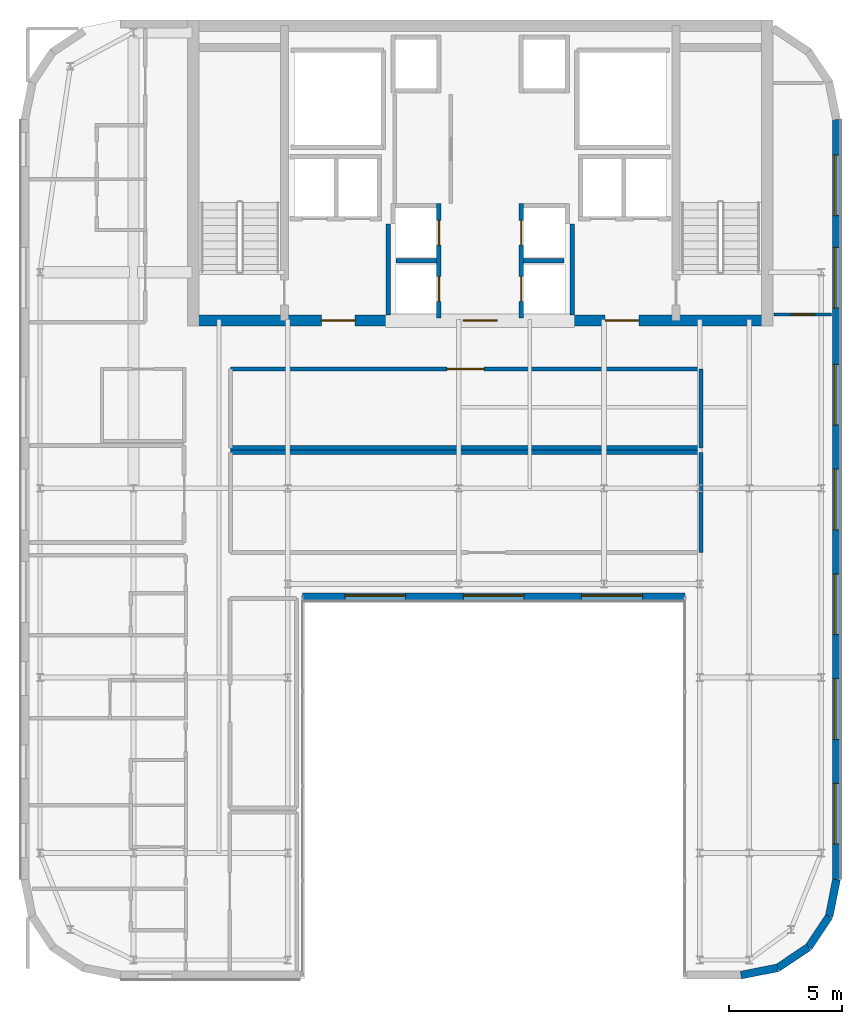
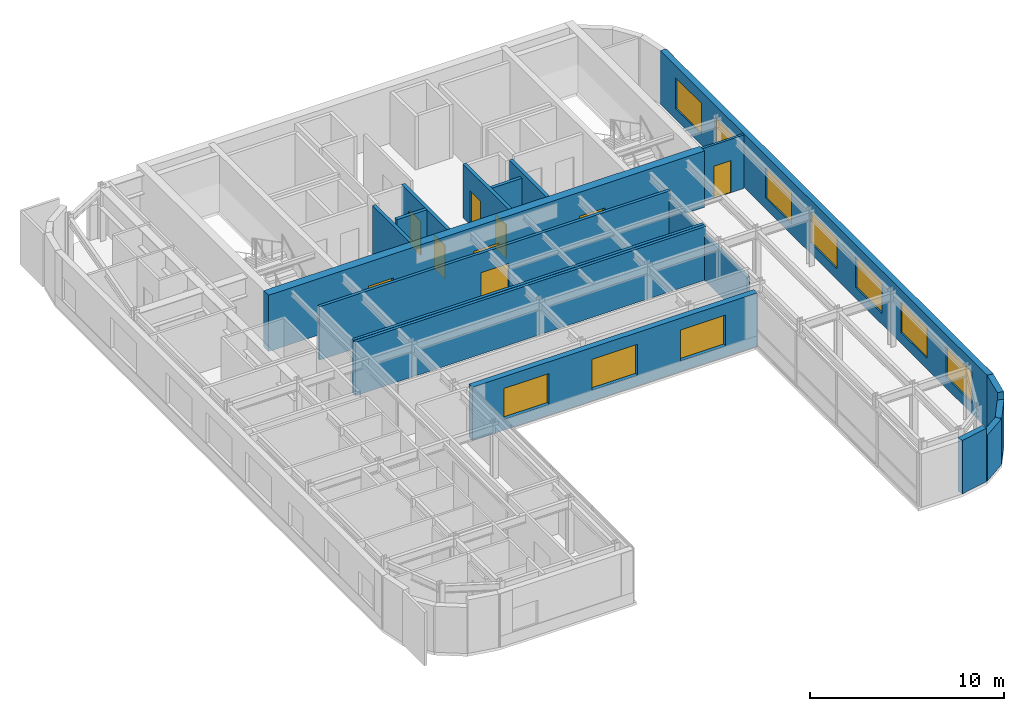
# One storey, part 15 of 21: 19 walls, 10 windows, 9 doors, 19 openings.
"""IFC4 building model written with IfcOpenShell, lengths in metres."""

from ifc_helpers import new_model, si_unit, direction, frame, frame_2d, origin, place, context, subcontext, project, spatial, rectangle, extrude, source, transform, mapped, material, layer, layer_set, type_object, type_shapes, element, fill, save


model = new_model("IFC4")

# Units and contexts
model_context = context("Model", 3, precision=1e-05, world=origin(), true_north=direction((0.0, 1.0)))
body_context = subcontext(model_context, "Body", "Model", "MODEL_VIEW")
ifc_project = project(units=[si_unit("LENGTHUNIT", "METRE"), si_unit("AREAUNIT", "SQUARE_METRE"), si_unit("VOLUMEUNIT", "CUBIC_METRE"), si_unit("PLANEANGLEUNIT", "RADIAN"), si_unit("MASSUNIT", "GRAM", prefix="KILO")], contexts=[model_context])

# Site, building, storey
site_placement = place(None, origin())
site = spatial("IfcSite", under=ifc_project, at=site_placement, CompositionType="ELEMENT")
building_placement = place(site_placement, origin())
building = spatial("IfcBuilding", under=site, at=building_placement, Name="Tolvann Quenvar Hotel", CompositionType="ELEMENT")
storey_placement = place(building_placement, frame((0.0, 0.0, 262.949951171875)))
storey = spatial("IfcBuildingStorey", under=building, at=storey_placement, Name="L70", CompositionType="ELEMENT", Elevation=262.949951171875)

# Wall, openings, doors
ifc_material_1 = material(Name="Concrete N50 (50 MPa)", Category="concrete")
ifc_layer_1 = layer(ifc_material_1, 0.5)
ifc_layer_set_1 = layer_set([ifc_layer_1], Name="Concrete N50 (50 MPa)")
wall_type_1 = type_object("IfcWallType", Name="WALL_CORE_500", PredefinedType="SHEAR", material=ifc_layer_set_1)
wall_1_placement = place(storey_placement, frame((10.0, 31.85009765625, 0.0), z_axis=(0.0, 0.0, 1.0), x_axis=(1.0, 0.0, 0.0)))
wall_1 = element("IfcWall", 1, at=wall_1_placement, inside=storey, type_object=wall_type_1, Name="Rear Core S Shear Wall (L70)", PredefinedType="SHEAR", context=body_context, shape_type="SweptSolid", body=[
    extrude(rectangle(XDim=26.0, YDim=0.5, at=frame_2d((13.0, 0.0))), origin(), (0.0, 0.0, 1.0), 3.550048828125),
])
opening_1_placement = place(wall_1_placement, frame((7.449951171875, 0.0, 0.0), z_axis=(0.0, 0.0, 1.0), x_axis=(-1.0, 0.0, 0.0)))
opening_1 = element("IfcOpeningElement", 2, at=opening_1_placement, cuts=wall_1, Name="Opening FD-60D", PredefinedType="OPENING", context=body_context, shape_type="SweptSolid", body=[
    extrude(rectangle(XDim=1.5, YDim=2.0400390625, at=frame_2d((0.75, 1.02001953125))), frame((0.0, 0.260009765625, 0.0), z_axis=(0.0, -1.0, 0.0), x_axis=(1.0, 0.0, 0.0)), (0.0, 0.0, 1.0), 0.52001953125),
])
opening_2_placement = place(wall_1_placement, frame((13.75, 0.0, 0.0), z_axis=(0.0, 0.0, 1.0), x_axis=(-1.0, 0.0, 0.0)))
opening_2 = element("IfcOpeningElement", 3, at=opening_2_placement, cuts=wall_1, Name="Opening FD-60D", PredefinedType="OPENING", context=body_context, shape_type="SweptSolid", body=[
    extrude(rectangle(XDim=1.5, YDim=2.0400390625, at=frame_2d((0.75, 1.02001953125))), frame((0.0, 0.260009765625, 0.0), z_axis=(0.0, -1.0, 0.0), x_axis=(1.0, 0.0, 0.0)), (0.0, 0.0, 1.0), 0.52001953125),
])
opening_3_placement = place(wall_1_placement, frame((20.050048828125, 0.0, 0.0), z_axis=(0.0, 0.0, 1.0), x_axis=(-1.0, 0.0, 0.0)))
opening_3 = element("IfcOpeningElement", 4, at=opening_3_placement, cuts=wall_1, Name="Opening FD-60D", PredefinedType="OPENING", context=body_context, shape_type="SweptSolid", body=[
    extrude(rectangle(XDim=1.5, YDim=2.0400390625, at=frame_2d((0.75, 1.02001953125))), frame((0.0, 0.260009765625, 0.0), z_axis=(0.0, -1.0, 0.0), x_axis=(1.0, 0.0, 0.0)), (0.0, 0.0, 1.0), 0.52001953125),
])
ifc_material_2 = material(Name="Solid-core American oak acoustic fire door leaf in steel frame", Category="steel")
door_type_1 = type_object("IfcDoorType", Name="DOOR_FIRE_LOBBY_1500", OperationType="NOTDEFINED", PredefinedType="DOOR", material=ifc_material_2)
shared_shape_1 = source(origin(), body_context, "Body", "SweptSolid", [
    extrude(rectangle(XDim=1.5, YDim=2.0400390625, at=frame_2d((0.75, 1.02001953125))), frame((0.0, 0.02490234375, 0.0), z_axis=(0.0, -1.0, 0.0), x_axis=(1.0, 0.0, 0.0)), (0.0, 0.0, 1.0), 0.050048828125),
])
type_shapes(door_type_1, [shared_shape_1])
door_1_placement = place(opening_1_placement, origin())
door_1 = element("IfcDoor", 5, at=door_1_placement, inside=storey, type_object=door_type_1, Name="Core Lobby Fire Door FFW (L70)", OperationType="DOUBLE_DOOR_SINGLE_SWING", OverallHeight=2.0400390625, OverallWidth=1.5, PredefinedType="DOOR", context=body_context, shape_type="MappedRepresentation", body=[
    mapped(shared_shape_1, transform((0.0, 0.0, 0.0), x_axis=(1.0, 0.0, 0.0), y_axis=(0.0, 1.0, 0.0), z_axis=(0.0, 0.0, 1.0), scale=1.0)),
])
fill(opening_1, door_1)
door_2_placement = place(opening_2_placement, origin())
door_2 = element("IfcDoor", 6, at=door_2_placement, inside=storey, type_object=door_type_1, Name="Core Lobby Fire Door CLOB (L70)", OperationType="DOUBLE_DOOR_SINGLE_SWING", OverallHeight=2.0400390625, OverallWidth=1.5, PredefinedType="DOOR", context=body_context, shape_type="MappedRepresentation", body=[
    mapped(shared_shape_1, transform((0.0, 0.0, 0.0), x_axis=(1.0, 0.0, 0.0), y_axis=(0.0, 1.0, 0.0), z_axis=(0.0, 0.0, 1.0), scale=1.0)),
])
fill(opening_2, door_2)
door_3_placement = place(opening_3_placement, origin())
door_3 = element("IfcDoor", 7, at=door_3_placement, inside=storey, type_object=door_type_1, Name="Core Lobby Fire Door FFE (L70)", OperationType="DOUBLE_DOOR_SINGLE_SWING", OverallHeight=2.0400390625, OverallWidth=1.5, PredefinedType="DOOR", context=body_context, shape_type="MappedRepresentation", body=[
    mapped(shared_shape_1, transform((0.0, 0.0, 0.0), x_axis=(1.0, 0.0, 0.0), y_axis=(0.0, 1.0, 0.0), z_axis=(0.0, 0.0, 1.0), scale=1.0)),
])
fill(opening_3, door_3)

# Wall, openings, windows
ifc_material_3 = material(Name="Kiln-fired red and buff architectural clay brickwork and terracotta masonry", Category="masonry")
ifc_layer_2 = layer(ifc_material_3, 0.35009765625)
ifc_layer_set_2 = layer_set([ifc_layer_2], Name="Kiln-fired red and buff architectural clay brickwork and terracotta masonry")
wall_type_2 = type_object("IfcWallType", Name="WALL_EXT_BRICK_350", PredefinedType="SOLIDWALL", material=ifc_layer_set_2)
wall_2_placement = place(storey_placement, frame((15.110107421875, 19.574951171875, 0.0), z_axis=(0.0, 0.0, 1.0), x_axis=(1.0, 0.0, 0.0)))
wall_2 = element("IfcWall", 8, at=wall_2_placement, inside=storey, type_object=wall_type_2, Name="Exterior Chicago Brick Wall L70-E06", PredefinedType="SOLIDWALL", context=body_context, shape_type="SweptSolid", body=[
    extrude(rectangle(XDim=16.97998046875, YDim=0.35009765625, at=frame_2d((8.489990234375, 0.0))), origin(), (0.0, 0.0, 1.0), 3.3701171875),
])
opening_4_placement = place(wall_2_placement, frame((1.8798828125, 0.0, 0.679931640625)))
opening_4 = element("IfcOpeningElement", 9, at=opening_4_placement, cuts=wall_2, Name="Opening W-04", PredefinedType="OPENING", context=body_context, shape_type="SweptSolid", body=[
    extrude(rectangle(XDim=2.699951171875, YDim=1.949951171875, at=frame_2d((1.35009765625, 0.97509765625))), frame((0.0, 0.18505859375, 0.0), z_axis=(0.0, -1.0, 0.0), x_axis=(1.0, 0.0, 0.0)), (0.0, 0.0, 1.0), 0.3701171875),
])
opening_5_placement = place(wall_2_placement, frame((7.139892578125, 0.0, 0.679931640625)))
opening_5 = element("IfcOpeningElement", 10, at=opening_5_placement, cuts=wall_2, Name="Opening W-04", PredefinedType="OPENING", context=body_context, shape_type="SweptSolid", body=[
    extrude(rectangle(XDim=2.699951171875, YDim=1.949951171875, at=frame_2d((1.35009765625, 0.97509765625))), frame((0.0, 0.18505859375, 0.0), z_axis=(0.0, -1.0, 0.0), x_axis=(1.0, 0.0, 0.0)), (0.0, 0.0, 1.0), 0.3701171875),
])
opening_6_placement = place(wall_2_placement, frame((12.39990234375, 0.0, 0.679931640625)))
opening_6 = element("IfcOpeningElement", 11, at=opening_6_placement, cuts=wall_2, Name="Opening W-04", PredefinedType="OPENING", context=body_context, shape_type="SweptSolid", body=[
    extrude(rectangle(XDim=2.699951171875, YDim=1.949951171875, at=frame_2d((1.35009765625, 0.97509765625))), frame((0.0, 0.18505859375, 0.0), z_axis=(0.0, -1.0, 0.0), x_axis=(1.0, 0.0, 0.0)), (0.0, 0.0, 1.0), 0.3701171875),
])
ifc_material_4 = material(Name="Thermally broken bronze-anodised aluminium frame with double low-E glazing", Category="aluminium")
window_type = type_object("IfcWindowType", Name="WIN_STE_2700x2150", PartitioningType="TRIPLE_PANEL_HORIZONTAL", PredefinedType="WINDOW", material=ifc_material_4)
shared_shape_2 = source(origin(), body_context, "Body", "SweptSolid", [
    extrude(rectangle(XDim=2.699951171875, YDim=1.949951171875, at=frame_2d((1.35009765625, 0.97509765625))), frame((0.0, 0.090087890625, 0.0), z_axis=(0.0, -1.0, 0.0), x_axis=(1.0, 0.0, 0.0)), (0.0, 0.0, 1.0), 0.06005859375),
])
type_shapes(window_type, [shared_shape_2])
window_1_placement = place(opening_4_placement, origin())
window_1 = element("IfcWindow", 12, at=window_1_placement, inside=storey, type_object=window_type, Name="Chicago Window W-04 (EW-L70-E06-W01)", OverallHeight=1.949951171875, OverallWidth=2.699951171875, PartitioningType="TRIPLE_PANEL_HORIZONTAL", PredefinedType="WINDOW", context=body_context, shape_type="MappedRepresentation", body=[
    mapped(shared_shape_2, transform((0.0, 0.0, 0.0), x_axis=(1.0, 0.0, 0.0), y_axis=(0.0, 1.0, 0.0), z_axis=(0.0, 0.0, 1.0), scale=1.0)),
])
fill(opening_4, window_1)
window_2_placement = place(opening_5_placement, origin())
window_2 = element("IfcWindow", 13, at=window_2_placement, inside=storey, type_object=window_type, Name="Chicago Window W-04 (EW-L70-E06-W02)", OverallHeight=1.949951171875, OverallWidth=2.699951171875, PartitioningType="TRIPLE_PANEL_HORIZONTAL", PredefinedType="WINDOW", context=body_context, shape_type="MappedRepresentation", body=[
    mapped(shared_shape_2, transform((0.0, 0.0, 0.0), x_axis=(1.0, 0.0, 0.0), y_axis=(0.0, 1.0, 0.0), z_axis=(0.0, 0.0, 1.0), scale=1.0)),
])
fill(opening_5, window_2)
window_3_placement = place(opening_6_placement, origin())
window_3 = element("IfcWindow", 14, at=window_3_placement, inside=storey, type_object=window_type, Name="Chicago Window W-04 (EW-L70-E06-W03)", OverallHeight=1.949951171875, OverallWidth=2.699951171875, PartitioningType="TRIPLE_PANEL_HORIZONTAL", PredefinedType="WINDOW", context=body_context, shape_type="MappedRepresentation", body=[
    mapped(shared_shape_2, transform((0.0, 0.0, 0.0), x_axis=(1.0, 0.0, 0.0), y_axis=(0.0, 1.0, 0.0), z_axis=(0.0, 0.0, 1.0), scale=1.0)),
])
fill(opening_6, window_3)

# Walls
wall_3_placement = place(storey_placement, frame((34.582763671875, 2.77490234375, 0.0), z_axis=(0.0, 0.0, 1.0), x_axis=(0.980794424524, 0.195044345786, 0.0)))
element("IfcWall", 15, at=wall_3_placement, inside=storey, type_object=wall_type_2, Name="Exterior Chicago Brick Wall L70-E09", PredefinedType="SOLIDWALL", context=body_context, shape_type="SweptSolid", body=[
    extrude(rectangle(XDim=1.664794921875, YDim=0.35009765625, at=frame_2d((0.83251953125, 0.0))), origin(), (0.0, 0.0, 1.0), 3.3701171875),
])
for number, where, z_axis, x_axis, name in (
    (16, (36.215576171875, 3.099609375, 0.0), (0.0, 0.0, 1.0), (0.831434158098, 0.555623290322, 0.0), "Exterior Chicago Brick Wall L70-E10"),
    (17, (37.585205078125, 4.014892578125, 0.0), (0.0, 0.0, 1.0), (0.555520825599, 0.831502623162, 0.0), "Exterior Chicago Brick Wall L70-E11"),
):
    element("IfcWall", number, at=place(storey_placement, frame(where, z_axis=z_axis, x_axis=x_axis)), inside=storey, type_object=wall_type_2, Name=name, PredefinedType="SOLIDWALL", context=body_context, shape_type="SweptSolid", body=[
        extrude(rectangle(XDim=1.647216796875, YDim=0.35009765625, at=frame_2d((0.82373046875, 0.0))), origin(), (0.0, 0.0, 1.0), 2.900146484375),
    ])
wall_4_placement = place(storey_placement, frame((38.500244140625, 5.384521484375, 0.0), z_axis=(0.0, 0.0, 1.0), x_axis=(0.195072403631, 0.980788844421, 0.0)))
element("IfcWall", 18, at=wall_4_placement, inside=storey, type_object=wall_type_2, Name="Exterior Chicago Brick Wall L70-E12", PredefinedType="SOLIDWALL", context=body_context, shape_type="SweptSolid", body=[
    extrude(rectangle(XDim=1.66455078125, YDim=0.35009765625, at=frame_2d((0.832275390625, 0.0))), origin(), (0.0, 0.0, 1.0), 3.3701171875),
])

# Wall, openings, windows
wall_5_placement = place(storey_placement, frame((38.824951171875, 7.01708984375, 0.0), z_axis=(0.0, 0.0, 1.0), x_axis=(0.0, 1.0, 0.0)))
wall_5 = element("IfcWall", 19, at=wall_5_placement, inside=storey, type_object=wall_type_2, Name="Exterior Chicago Brick Wall L70-E13", PredefinedType="SOLIDWALL", context=body_context, shape_type="SweptSolid", body=[
    extrude(rectangle(XDim=33.765625, YDim=0.35009765625, at=frame_2d((16.8828125, 0.0))), origin(), (0.0, 0.0, 1.0), 3.3701171875),
])
opening_7_placement = place(wall_5_placement, frame((1.575927734375, 0.0, 0.679931640625)))
opening_7 = element("IfcOpeningElement", 20, at=opening_7_placement, cuts=wall_5, Name="Opening W-04", PredefinedType="OPENING", context=body_context, shape_type="SweptSolid", body=[
    extrude(rectangle(XDim=2.699951171875, YDim=1.949951171875, at=frame_2d((1.35009765625, 0.97509765625))), frame((0.0, 0.18505859375, 0.0), z_axis=(0.0, -1.0, 0.0), x_axis=(1.0, 0.0, 0.0)), (0.0, 0.0, 1.0), 0.3701171875),
])
opening_8_placement = place(wall_5_placement, frame((6.22802734375, 0.0, 0.679931640625)))
opening_8 = element("IfcOpeningElement", 21, at=opening_8_placement, cuts=wall_5, Name="Opening W-04", PredefinedType="OPENING", context=body_context, shape_type="SweptSolid", body=[
    extrude(rectangle(XDim=2.699951171875, YDim=1.949951171875, at=frame_2d((1.35009765625, 0.97509765625))), frame((0.0, 0.18505859375, 0.0), z_axis=(0.0, -1.0, 0.0), x_axis=(1.0, 0.0, 0.0)), (0.0, 0.0, 1.0), 0.3701171875),
])
opening_9_placement = place(wall_5_placement, frame((10.881103515625, 0.0, 0.679931640625)))
opening_9 = element("IfcOpeningElement", 22, at=opening_9_placement, cuts=wall_5, Name="Opening W-04", PredefinedType="OPENING", context=body_context, shape_type="SweptSolid", body=[
    extrude(rectangle(XDim=2.699951171875, YDim=1.949951171875, at=frame_2d((1.35009765625, 0.97509765625))), frame((0.0, 0.18505859375, 0.0), z_axis=(0.0, -1.0, 0.0), x_axis=(1.0, 0.0, 0.0)), (0.0, 0.0, 1.0), 0.3701171875),
])
opening_10_placement = place(wall_5_placement, frame((15.532958984375, 0.0, 0.679931640625)))
opening_10 = element("IfcOpeningElement", 23, at=opening_10_placement, cuts=wall_5, Name="Opening W-04", PredefinedType="OPENING", context=body_context, shape_type="SweptSolid", body=[
    extrude(rectangle(XDim=2.699951171875, YDim=1.949951171875, at=frame_2d((1.35009765625, 0.97509765625))), frame((0.0, 0.18505859375, 0.0), z_axis=(0.0, -1.0, 0.0), x_axis=(1.0, 0.0, 0.0)), (0.0, 0.0, 1.0), 0.3701171875),
])
opening_11_placement = place(wall_5_placement, frame((20.18505859375, 0.0, 0.679931640625)))
opening_11 = element("IfcOpeningElement", 24, at=opening_11_placement, cuts=wall_5, Name="Opening W-04", PredefinedType="OPENING", context=body_context, shape_type="SweptSolid", body=[
    extrude(rectangle(XDim=2.699951171875, YDim=1.949951171875, at=frame_2d((1.35009765625, 0.97509765625))), frame((0.0, 0.18505859375, 0.0), z_axis=(0.0, -1.0, 0.0), x_axis=(1.0, 0.0, 0.0)), (0.0, 0.0, 1.0), 0.3701171875),
])
opening_12_placement = place(wall_5_placement, frame((25.386962890625, 0.0, 0.679931640625)))
opening_12 = element("IfcOpeningElement", 25, at=opening_12_placement, cuts=wall_5, Name="Opening W-04", PredefinedType="OPENING", context=body_context, shape_type="SweptSolid", body=[
    extrude(rectangle(XDim=2.699951171875, YDim=1.949951171875, at=frame_2d((1.35009765625, 0.97509765625))), frame((0.0, 0.18505859375, 0.0), z_axis=(0.0, -1.0, 0.0), x_axis=(1.0, 0.0, 0.0)), (0.0, 0.0, 1.0), 0.3701171875),
])
opening_13_placement = place(wall_5_placement, frame((29.489013671875, 0.0, 0.679931640625)))
opening_13 = element("IfcOpeningElement", 26, at=opening_13_placement, cuts=wall_5, Name="Opening W-04", PredefinedType="OPENING", context=body_context, shape_type="SweptSolid", body=[
    extrude(rectangle(XDim=2.699951171875, YDim=1.949951171875, at=frame_2d((1.35009765625, 0.97509765625))), frame((0.0, 0.18505859375, 0.0), z_axis=(0.0, -1.0, 0.0), x_axis=(1.0, 0.0, 0.0)), (0.0, 0.0, 1.0), 0.3701171875),
])
window_4_placement = place(opening_7_placement, origin())
window_4 = element("IfcWindow", 27, at=window_4_placement, inside=storey, type_object=window_type, Name="Chicago Window W-04 (EW-L70-E13-W01)", OverallHeight=1.949951171875, OverallWidth=2.699951171875, PartitioningType="TRIPLE_PANEL_HORIZONTAL", PredefinedType="WINDOW", context=body_context, shape_type="MappedRepresentation", body=[
    mapped(shared_shape_2, transform((0.0, 0.0, 0.0), x_axis=(1.0, 0.0, 0.0), y_axis=(0.0, 1.0, 0.0), z_axis=(0.0, 0.0, 1.0), scale=1.0)),
])
fill(opening_7, window_4)
window_5_placement = place(opening_8_placement, origin())
window_5 = element("IfcWindow", 28, at=window_5_placement, inside=storey, type_object=window_type, Name="Chicago Window W-04 (EW-L70-E13-W02)", OverallHeight=1.949951171875, OverallWidth=2.699951171875, PartitioningType="TRIPLE_PANEL_HORIZONTAL", PredefinedType="WINDOW", context=body_context, shape_type="MappedRepresentation", body=[
    mapped(shared_shape_2, transform((0.0, 0.0, 0.0), x_axis=(1.0, 0.0, 0.0), y_axis=(0.0, 1.0, 0.0), z_axis=(0.0, 0.0, 1.0), scale=1.0)),
])
fill(opening_8, window_5)
window_6_placement = place(opening_9_placement, origin())
window_6 = element("IfcWindow", 29, at=window_6_placement, inside=storey, type_object=window_type, Name="Chicago Window W-04 (EW-L70-E13-W03)", OverallHeight=1.949951171875, OverallWidth=2.699951171875, PartitioningType="TRIPLE_PANEL_HORIZONTAL", PredefinedType="WINDOW", context=body_context, shape_type="MappedRepresentation", body=[
    mapped(shared_shape_2, transform((0.0, 0.0, 0.0), x_axis=(1.0, 0.0, 0.0), y_axis=(0.0, 1.0, 0.0), z_axis=(0.0, 0.0, 1.0), scale=1.0)),
])
fill(opening_9, window_6)
window_7_placement = place(opening_10_placement, origin())
window_7 = element("IfcWindow", 30, at=window_7_placement, inside=storey, type_object=window_type, Name="Chicago Window W-04 (EW-L70-E13-W04)", OverallHeight=1.949951171875, OverallWidth=2.699951171875, PartitioningType="TRIPLE_PANEL_HORIZONTAL", PredefinedType="WINDOW", context=body_context, shape_type="MappedRepresentation", body=[
    mapped(shared_shape_2, transform((0.0, 0.0, 0.0), x_axis=(1.0, 0.0, 0.0), y_axis=(0.0, 1.0, 0.0), z_axis=(0.0, 0.0, 1.0), scale=1.0)),
])
fill(opening_10, window_7)
window_8_placement = place(opening_11_placement, origin())
window_8 = element("IfcWindow", 31, at=window_8_placement, inside=storey, type_object=window_type, Name="Chicago Window W-04 (EW-L70-E13-W05)", OverallHeight=1.949951171875, OverallWidth=2.699951171875, PartitioningType="TRIPLE_PANEL_HORIZONTAL", PredefinedType="WINDOW", context=body_context, shape_type="MappedRepresentation", body=[
    mapped(shared_shape_2, transform((0.0, 0.0, 0.0), x_axis=(1.0, 0.0, 0.0), y_axis=(0.0, 1.0, 0.0), z_axis=(0.0, 0.0, 1.0), scale=1.0)),
])
fill(opening_11, window_8)
window_9_placement = place(opening_12_placement, origin())
window_9 = element("IfcWindow", 32, at=window_9_placement, inside=storey, type_object=window_type, Name="Chicago Window W-04 (EW-L70-E13-W06)", OverallHeight=1.949951171875, OverallWidth=2.699951171875, PartitioningType="TRIPLE_PANEL_HORIZONTAL", PredefinedType="WINDOW", context=body_context, shape_type="MappedRepresentation", body=[
    mapped(shared_shape_2, transform((0.0, 0.0, 0.0), x_axis=(1.0, 0.0, 0.0), y_axis=(0.0, 1.0, 0.0), z_axis=(0.0, 0.0, 1.0), scale=1.0)),
])
fill(opening_12, window_9)
window_10_placement = place(opening_13_placement, origin())
window_10 = element("IfcWindow", 33, at=window_10_placement, inside=storey, type_object=window_type, Name="Chicago Window W-04 (EW-L70-E13-W07)", OverallHeight=1.949951171875, OverallWidth=2.699951171875, PartitioningType="TRIPLE_PANEL_HORIZONTAL", PredefinedType="WINDOW", context=body_context, shape_type="MappedRepresentation", body=[
    mapped(shared_shape_2, transform((0.0, 0.0, 0.0), x_axis=(1.0, 0.0, 0.0), y_axis=(0.0, 1.0, 0.0), z_axis=(0.0, 0.0, 1.0), scale=1.0)),
])
fill(opening_13, window_10)

# Walls
ifc_material_5 = material(Name="Acoustic twin-stud fire-rated gypsum plasterboard partition")
ifc_layer_3 = layer(ifc_material_5, 0.179931640625)
ifc_layer_set_3 = layer_set([ifc_layer_3], Name="Acoustic twin-stud fire-rated gypsum plasterboard partition")
wall_type_3 = type_object("IfcWallType", Name="WALL_PART_ACOUSTIC_180", PredefinedType="PARTITIONING", material=ifc_layer_set_3)
wall_6_placement = place(storey_placement, frame((11.89990234375, 26.0, 0.0), z_axis=(0.0, 0.0, 1.0), x_axis=(1.0, 0.0, 0.0)))
element("IfcWall", 34, at=wall_6_placement, inside=storey, type_object=wall_type_3, Name="Interior Partition PT-SPC-L70-PCNTR1-N", PredefinedType="PARTITIONING", context=body_context, shape_type="SweptSolid", body=[
    extrude(rectangle(XDim=20.900146484375, YDim=0.179931640625, at=frame_2d((10.4501953125, 0.0))), origin(), (0.0, 0.0, 1.0), 3.3701171875),
])
wall_7_placement = place(storey_placement, frame((32.800048828125, 21.550048828125, 0.0), z_axis=(0.0, 0.0, 1.0), x_axis=(0.0, 1.0, 0.0)))
element("IfcWall", 35, at=wall_7_placement, inside=storey, type_object=wall_type_3, Name="Interior Partition PT-SPC-L70-PCNTR1-E", PredefinedType="PARTITIONING", context=body_context, shape_type="SweptSolid", body=[
    extrude(rectangle(XDim=4.449951171875, YDim=0.179931640625, at=frame_2d((2.22509765625, 0.0))), origin(), (0.0, 0.0, 1.0), 2.8271484375),
])
wall_8_placement = place(storey_placement, frame((11.89990234375, 26.199951171875, 0.0), z_axis=(0.0, 0.0, 1.0), x_axis=(1.0, 0.0, 0.0)))
element("IfcWall", 36, at=wall_8_placement, inside=storey, type_object=wall_type_3, Name="Interior Partition PT-SPC-L70-PCNTR2-S", PredefinedType="PARTITIONING", context=body_context, shape_type="SweptSolid", body=[
    extrude(rectangle(XDim=20.900146484375, YDim=0.179931640625, at=frame_2d((10.4501953125, 0.0))), origin(), (0.0, 0.0, 1.0), 3.3701171875),
])

# Wall, opening, door
wall_9_placement = place(storey_placement, frame((11.89990234375, 29.699951171875, 0.0), z_axis=(0.0, 0.0, 1.0), x_axis=(1.0, 0.0, 0.0)))
wall_9 = element("IfcWall", 37, at=wall_9_placement, inside=storey, type_object=wall_type_3, Name="Interior Partition PT-SPC-L70-PCNTR2-N", PredefinedType="PARTITIONING", context=body_context, shape_type="SweptSolid", body=[
    extrude(rectangle(XDim=20.900146484375, YDim=0.179931640625, at=frame_2d((10.4501953125, 0.0))), origin(), (0.0, 0.0, 1.0), 3.3701171875),
])
opening_14_placement = place(wall_9_placement, frame((9.625, 0.0, 0.0)))
opening_14 = element("IfcOpeningElement", 38, at=opening_14_placement, cuts=wall_9, Name="Opening AD-01", PredefinedType="OPENING", context=body_context, shape_type="SweptSolid", body=[
    extrude(rectangle(XDim=1.64990234375, YDim=2.14990234375, at=frame_2d((0.824951171875, 1.074951171875))), frame((0.0, 0.10009765625, 0.0), z_axis=(0.0, -1.0, 0.0), x_axis=(1.0, 0.0, 0.0)), (0.0, 0.0, 1.0), 0.199951171875),
])
door_type_2 = type_object("IfcDoorType", Name="DOOR_SALON_1650", OperationType="NOTDEFINED", PredefinedType="DOOR", material=ifc_material_2)
shared_shape_3 = source(origin(), body_context, "Body", "SweptSolid", [
    extrude(rectangle(XDim=1.64990234375, YDim=2.14990234375, at=frame_2d((0.824951171875, 1.074951171875))), frame((0.0, 0.02490234375, 0.0), z_axis=(0.0, -1.0, 0.0), x_axis=(1.0, 0.0, 0.0)), (0.0, 0.0, 1.0), 0.050048828125),
])
type_shapes(door_type_2, [shared_shape_3])
door_4_placement = place(opening_14_placement, origin())
door_4 = element("IfcDoor", 39, at=door_4_placement, inside=storey, type_object=door_type_2, Name="Interior Door DOOR-SPC-L70-PCNTR2", OperationType="DOUBLE_DOOR_SINGLE_SWING", OverallHeight=2.14990234375, OverallWidth=1.64990234375, PredefinedType="DOOR", context=body_context, shape_type="MappedRepresentation", body=[
    mapped(shared_shape_3, transform((0.0, 0.0, 0.0), x_axis=(1.0, 0.0, 0.0), y_axis=(0.0, 1.0, 0.0), z_axis=(0.0, 0.0, 1.0), scale=1.0)),
])
fill(opening_14, door_4)

# Wall
wall_10_placement = place(storey_placement, frame((32.800048828125, 26.199951171875, 0.0), z_axis=(0.0, 0.0, 1.0), x_axis=(0.0, 1.0, 0.0)))
element("IfcWall", 40, at=wall_10_placement, inside=storey, type_object=wall_type_3, Name="Interior Partition PT-SPC-L70-PCNTR2-E", PredefinedType="PARTITIONING", context=body_context, shape_type="SweptSolid", body=[
    extrude(rectangle(XDim=3.5, YDim=0.179931640625, at=frame_2d((1.75, 0.0))), origin(), (0.0, 0.0, 1.0), 2.8271484375),
])

# Wall, opening, door
ifc_layer_4 = layer(ifc_material_5, 0.14990234375)
ifc_layer_set_4 = layer_set([ifc_layer_4], Name="Acoustic twin-stud fire-rated gypsum plasterboard partition")
wall_type_4 = type_object("IfcWallType", Name="WALL_PART_SUITE_150", PredefinedType="PARTITIONING", material=ifc_layer_set_4)
wall_11_placement = place(storey_placement, frame((36.054931640625, 32.1201171875, 0.0), z_axis=(0.0, 0.0, 1.0), x_axis=(1.0, 0.0, 0.0)))
wall_11 = element("IfcWall", 41, at=wall_11_placement, inside=storey, type_object=wall_type_4, Name="Interior Partition PT-SPC-L70-RECPL-P-S", PredefinedType="PARTITIONING", context=body_context, shape_type="SweptSolid", body=[
    extrude(rectangle(XDim=2.5400390625, YDim=0.14990234375, at=frame_2d((1.27001953125, 0.0))), origin(), (0.0, 0.0, 1.0), 3.3701171875),
])
opening_15_placement = place(wall_11_placement, frame((0.760009765625, 0.0, 0.0)))
opening_15 = element("IfcOpeningElement", 42, at=opening_15_placement, cuts=wall_11, Name="Opening HD-01", PredefinedType="OPENING", context=body_context, shape_type="SweptSolid", body=[
    extrude(rectangle(XDim=1.02001953125, YDim=2.030029296875, at=frame_2d((0.510009765625, 1.01513671875))), frame((0.0, 0.0849609375, 0.0), z_axis=(0.0, -1.0, 0.0), x_axis=(1.0, 0.0, 0.0)), (0.0, 0.0, 1.0), 0.169921875),
])
ifc_material_6 = material(Name="Pressed galvanised steel fire-rated door set", Category="steel")
door_type_3 = type_object("IfcDoorType", Name="DOOR_BOH_1020", OperationType="NOTDEFINED", PredefinedType="DOOR", material=ifc_material_6)
shared_shape_4 = source(origin(), body_context, "Body", "SweptSolid", [
    extrude(rectangle(XDim=1.02001953125, YDim=2.030029296875, at=frame_2d((0.510009765625, 1.01513671875))), frame((0.0, 0.02490234375, 0.0), z_axis=(0.0, -1.0, 0.0), x_axis=(1.0, 0.0, 0.0)), (0.0, 0.0, 1.0), 0.050048828125),
])
type_shapes(door_type_3, [shared_shape_4])
door_5_placement = place(opening_15_placement, origin())
door_5 = element("IfcDoor", 43, at=door_5_placement, inside=storey, type_object=door_type_3, Name="Interior Door DOOR-SPC-L70-RECPL-P", OperationType="SINGLE_SWING_RIGHT", OverallHeight=2.030029296875, OverallWidth=1.02001953125, PredefinedType="DOOR", context=body_context, shape_type="MappedRepresentation", body=[
    mapped(shared_shape_4, transform((0.0, 0.0, 0.0), x_axis=(1.0, 0.0, 0.0), y_axis=(0.0, 1.0, 0.0), z_axis=(0.0, 0.0, 1.0), scale=1.0)),
])
fill(opening_15, door_5)

# Walls
ifc_material_7 = material(Name="Concrete N40 (40 MPa)", Category="concrete")
ifc_layer_5 = layer(ifc_material_7, 0.199951171875)
ifc_layer_set_5 = layer_set([ifc_layer_5], Name="Concrete N40 (40 MPa)")
wall_type_5 = type_object("IfcWallType", Name="WALL_SHAFT_200", PredefinedType="SOLIDWALL", material=ifc_layer_set_5)
for number, where, z_axis, x_axis, name in (
    (44, (18.919921875, 32.10400390625, 0.0), (0.0, 0.0, 1.0), (0.0, 1.0, 0.0), "Firefighting Lobby W Inner Fire Wall (L70)"),
    (45, (27.080078125, 32.10400390625, 0.0), (0.0, 0.0, 1.0), (0.0, 1.0, 0.0), "Firefighting Lobby E Inner Fire Wall (L70)"),
):
    element("IfcWall", number, at=place(storey_placement, frame(where, z_axis=z_axis, x_axis=x_axis)), inside=storey, type_object=wall_type_5, Name=name, PredefinedType="SOLIDWALL", context=body_context, shape_type="SweptSolid", body=[
        extrude(rectangle(XDim=4.0458984375, YDim=0.199951171875, at=frame_2d((2.02294921875, 0.0))), origin(), (0.0, 0.0, 1.0), 3.3701171875),
    ])

# Wall, openings, doors
wall_12_placement = place(storey_placement, frame((21.169921875, 31.9599609375, 0.0), z_axis=(0.0, 0.0, 1.0), x_axis=(0.0, 1.0, 0.0)))
wall_12 = element("IfcWall", 46, at=wall_12_placement, inside=storey, type_object=wall_type_5, Name="Lift Bank E21.1C1 Hoistway Front Wall (L70)", PredefinedType="SOLIDWALL", context=body_context, shape_type="SweptSolid", body=[
    extrude(rectangle(XDim=5.080078125, YDim=0.199951171875, at=frame_2d((2.5400390625, 0.0))), origin(), (0.0, 0.0, 1.0), 3.3701171875),
])
opening_16_placement = place(wall_12_placement, frame((0.739990234375, 0.0, 0.0)))
opening_16 = element("IfcOpeningElement", 47, at=opening_16_placement, cuts=wall_12, Name="Opening LD-01", PredefinedType="OPENING", context=body_context, shape_type="SweptSolid", body=[
    extrude(rectangle(XDim=1.10009765625, YDim=2.1201171875, at=frame_2d((0.550048828125, 1.06005859375))), frame((0.0, 0.10986328125, 0.0), z_axis=(0.0, -1.0, 0.0), x_axis=(1.0, 0.0, 0.0)), (0.0, 0.0, 1.0), 0.219970703125),
])
opening_17_placement = place(wall_12_placement, frame((3.239990234375, 0.0, 0.0)))
opening_17 = element("IfcOpeningElement", 48, at=opening_17_placement, cuts=wall_12, Name="Opening LD-01", PredefinedType="OPENING", context=body_context, shape_type="SweptSolid", body=[
    extrude(rectangle(XDim=1.10009765625, YDim=2.1201171875, at=frame_2d((0.550048828125, 1.06005859375))), frame((0.0, 0.10986328125, 0.0), z_axis=(0.0, -1.0, 0.0), x_axis=(1.0, 0.0, 0.0)), (0.0, 0.0, 1.0), 0.219970703125),
])
ifc_material_8 = material(Name="Brushed 316 stainless steel automatic sliding lift landing door", Category="steel")
door_type_4 = type_object("IfcDoorType", Name="DOOR_LIFT_SLIDE_1100", OperationType="NOTDEFINED", PredefinedType="DOOR", material=ifc_material_8)
shared_shape_5 = source(origin(), body_context, "Body", "SweptSolid", [
    extrude(rectangle(XDim=1.10009765625, YDim=2.1201171875, at=frame_2d((0.550048828125, 1.06005859375))), frame((0.0, 0.02490234375, 0.0), z_axis=(0.0, -1.0, 0.0), x_axis=(1.0, 0.0, 0.0)), (0.0, 0.0, 1.0), 0.050048828125),
])
type_shapes(door_type_4, [shared_shape_5])
door_6_placement = place(opening_16_placement, origin())
door_6 = element("IfcDoor", 49, at=door_6_placement, inside=storey, type_object=door_type_4, Name="Lift PH-1 Sliding Landing Door (L70)", OperationType="SLIDING_TO_LEFT", OverallHeight=2.1201171875, OverallWidth=1.10009765625, PredefinedType="DOOR", context=body_context, shape_type="MappedRepresentation", body=[
    mapped(shared_shape_5, transform((0.0, 0.0, 0.0), x_axis=(1.0, 0.0, 0.0), y_axis=(0.0, 1.0, 0.0), z_axis=(0.0, 0.0, 1.0), scale=1.0)),
])
fill(opening_16, door_6)
door_7_placement = place(opening_17_placement, origin())
door_7 = element("IfcDoor", 50, at=door_7_placement, inside=storey, type_object=door_type_4, Name="Lift PH-2 Sliding Landing Door (L70)", OperationType="SLIDING_TO_RIGHT", OverallHeight=2.1201171875, OverallWidth=1.10009765625, PredefinedType="DOOR", context=body_context, shape_type="MappedRepresentation", body=[
    mapped(shared_shape_5, transform((0.0, 0.0, 0.0), x_axis=(1.0, 0.0, 0.0), y_axis=(0.0, 1.0, 0.0), z_axis=(0.0, 0.0, 1.0), scale=1.0)),
])
fill(opening_17, door_7)

# Wall
wall_13_placement = place(storey_placement, frame((19.27001953125, 34.5, 0.0), z_axis=(0.0, 0.0, 1.0), x_axis=(1.0, 0.0, 0.0)))
element("IfcWall", 51, at=wall_13_placement, inside=storey, type_object=wall_type_5, Name="Lift Bank E21.1C1 Divider Wall 1 (L70)", PredefinedType="SOLIDWALL", context=body_context, shape_type="SweptSolid", body=[
    extrude(rectangle(XDim=1.800048828125, YDim=0.199951171875, at=frame_2d((0.89990234375, 0.0))), origin(), (0.0, 0.0, 1.0), 3.3701171875),
])

# Wall, openings, doors
wall_14_placement = place(storey_placement, frame((24.830078125, 31.9599609375, 0.0), z_axis=(0.0, 0.0, 1.0), x_axis=(0.0, 1.0, 0.0)))
wall_14 = element("IfcWall", 52, at=wall_14_placement, inside=storey, type_object=wall_type_5, Name="Lift Bank W24.9C1 Hoistway Front Wall (L70)", PredefinedType="SOLIDWALL", context=body_context, shape_type="SweptSolid", body=[
    extrude(rectangle(XDim=5.080078125, YDim=0.199951171875, at=frame_2d((2.5400390625, 0.0))), origin(), (0.0, 0.0, 1.0), 3.3701171875),
])
opening_18_placement = place(wall_14_placement, frame((0.739990234375, 0.0, 0.0)))
opening_18 = element("IfcOpeningElement", 53, at=opening_18_placement, cuts=wall_14, Name="Opening LD-01", PredefinedType="OPENING", context=body_context, shape_type="SweptSolid", body=[
    extrude(rectangle(XDim=1.10009765625, YDim=2.1201171875, at=frame_2d((0.550048828125, 1.06005859375))), frame((0.0, 0.10986328125, 0.0), z_axis=(0.0, -1.0, 0.0), x_axis=(1.0, 0.0, 0.0)), (0.0, 0.0, 1.0), 0.219970703125),
])
opening_19_placement = place(wall_14_placement, frame((3.239990234375, 0.0, 0.0)))
opening_19 = element("IfcOpeningElement", 54, at=opening_19_placement, cuts=wall_14, Name="Opening LD-01", PredefinedType="OPENING", context=body_context, shape_type="SweptSolid", body=[
    extrude(rectangle(XDim=1.10009765625, YDim=2.1201171875, at=frame_2d((0.550048828125, 1.06005859375))), frame((0.0, 0.10986328125, 0.0), z_axis=(0.0, -1.0, 0.0), x_axis=(1.0, 0.0, 0.0)), (0.0, 0.0, 1.0), 0.219970703125),
])
door_8_placement = place(opening_18_placement, origin())
door_8 = element("IfcDoor", 55, at=door_8_placement, inside=storey, type_object=door_type_4, Name="Lift PH-3 Sliding Landing Door (L70)", OperationType="SLIDING_TO_LEFT", OverallHeight=2.1201171875, OverallWidth=1.10009765625, PredefinedType="DOOR", context=body_context, shape_type="MappedRepresentation", body=[
    mapped(shared_shape_5, transform((0.0, 0.0, 0.0), x_axis=(1.0, 0.0, 0.0), y_axis=(0.0, 1.0, 0.0), z_axis=(0.0, 0.0, 1.0), scale=1.0)),
])
fill(opening_18, door_8)
door_9_placement = place(opening_19_placement, origin())
door_9 = element("IfcDoor", 56, at=door_9_placement, inside=storey, type_object=door_type_4, Name="Lift PH-4 Sliding Landing Door (L70)", OperationType="SLIDING_TO_RIGHT", OverallHeight=2.1201171875, OverallWidth=1.10009765625, PredefinedType="DOOR", context=body_context, shape_type="MappedRepresentation", body=[
    mapped(shared_shape_5, transform((0.0, 0.0, 0.0), x_axis=(1.0, 0.0, 0.0), y_axis=(0.0, 1.0, 0.0), z_axis=(0.0, 0.0, 1.0), scale=1.0)),
])
fill(opening_19, door_9)

# Wall
wall_15_placement = place(storey_placement, frame((24.929931640625, 34.5, 0.0), z_axis=(0.0, 0.0, 1.0), x_axis=(1.0, 0.0, 0.0)))
element("IfcWall", 57, at=wall_15_placement, inside=storey, type_object=wall_type_5, Name="Lift Bank W24.9C1 Divider Wall 1 (L70)", PredefinedType="SOLIDWALL", context=body_context, shape_type="SweptSolid", body=[
    extrude(rectangle(XDim=1.800048828125, YDim=0.199951171875, at=frame_2d((0.89990234375, 0.0))), origin(), (0.0, 0.0, 1.0), 3.3701171875),
])

save(model, "model.ifc")
